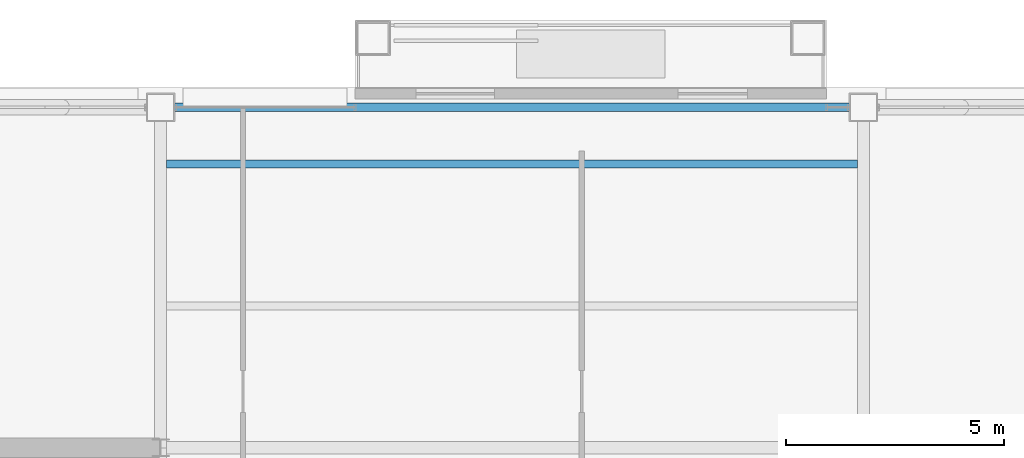
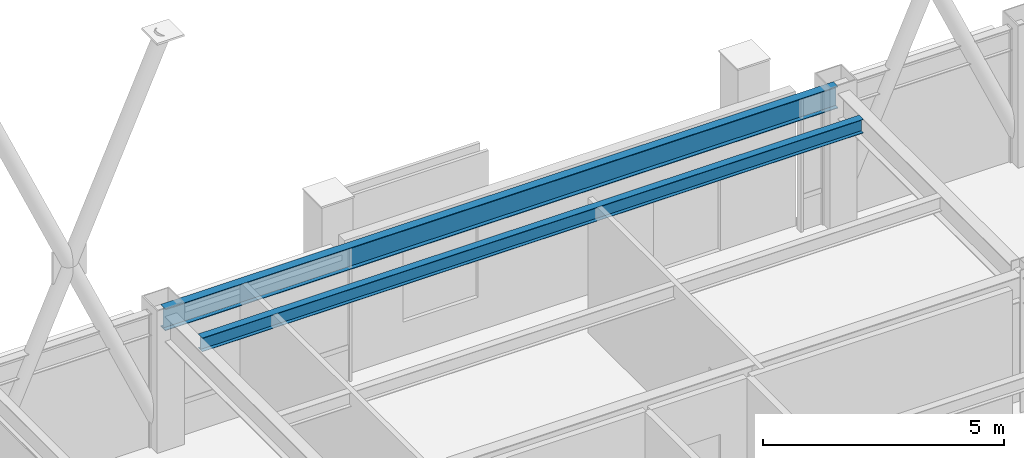
# One storey, part 19 of 28: 2 beams.
"""IFC4 building model written with IfcOpenShell, lengths in metres."""

from ifc_helpers import new_model, si_unit, direction, frame, origin, origin_2d, place, context, subcontext, project, spatial, i_section, extrude, material, material_profile, profile_set, type_object, element, save


model = new_model("IFC4")

# Units and contexts
model_context = context("Model", 3, precision=1e-05, world=origin(), true_north=direction((0.0, 1.0)))
body_context = subcontext(model_context, "Body", "Model", "MODEL_VIEW")
ifc_project = project(units=[si_unit("LENGTHUNIT", "METRE"), si_unit("AREAUNIT", "SQUARE_METRE"), si_unit("VOLUMEUNIT", "CUBIC_METRE"), si_unit("PLANEANGLEUNIT", "RADIAN"), si_unit("MASSUNIT", "GRAM", prefix="KILO")], contexts=[model_context])

# Site, building, storey
site_placement = place(None, origin())
site = spatial("IfcSite", under=ifc_project, at=site_placement, CompositionType="ELEMENT")
building_placement = place(site_placement, origin())
building = spatial("IfcBuilding", under=site, at=building_placement, Name="Brelmoor Portico Tower", CompositionType="ELEMENT")
storey_placement = place(building_placement, frame((0.0, 0.0, 225.60009765625)))
storey = spatial("IfcBuildingStorey", under=building, at=storey_placement, Name="L59", CompositionType="ELEMENT", Elevation=225.60009765625)

# Beams
ifc_material = material(Name="Steel Q355B", Category="steel")
ifc_material_profile_1 = material_profile(ifc_material, i_section(OverallWidth=0.175048828125, OverallDepth=0.35009765625, WebThickness=0.007080078125, FlangeThickness=0.010986328125, at=origin_2d()), Name="HN 350x175x7x11")
ifc_profile_set_1 = profile_set([ifc_material_profile_1], Name="Steel Q355B")
beam_type_1 = type_object("IfcBeamType", Name="BM-JS-350", PredefinedType="JOIST", material=ifc_profile_set_1)
beam_1_placement = place(storey_placement, frame((-7.909912109375, 16.25, 3.224853515625), z_axis=(1.0, 0.0, 0.0), x_axis=(0.0, 1.0, 0.0)))
element("IfcBeam", 1, at=beam_1_placement, inside=storey, type_object=beam_type_1, Name="L59 Secondary Composite Joist JS-C06", PredefinedType="JOIST", context=body_context, shape_type="SweptSolid", body=[
    extrude(i_section(OverallWidth=0.175048828125, OverallDepth=0.35009765625, WebThickness=0.007080078125, FlangeThickness=0.010986328125, at=origin_2d()), origin(), (0.0, 0.0, 1.0), 15.81982421875),
])
ifc_material_profile_2 = material_profile(ifc_material, i_section(OverallWidth=0.199951171875, OverallDepth=0.550048828125, WebThickness=0.010009765625, FlangeThickness=0.01611328125, at=origin_2d()), Name="HN 550x200x10x16")
ifc_profile_set_2 = profile_set([ifc_material_profile_2], Name="Steel Q355B")
beam_type_2 = type_object("IfcBeamType", Name="BM-SP-550", PredefinedType="SPANDREL", material=ifc_profile_set_2)
beam_2_placement = place(storey_placement, frame((-8.050048828125, 17.550048828125, 3.125), z_axis=(1.0, 0.0, 0.0), x_axis=(0.0, 1.0, 0.0)))
element("IfcBeam", 2, at=beam_2_placement, inside=storey, type_object=beam_type_2, Name="L59 Perimeter Spandrel Beam SP-09", PredefinedType="SPANDREL", context=body_context, shape_type="SweptSolid", body=[
    extrude(i_section(OverallWidth=0.199951171875, OverallDepth=0.550048828125, WebThickness=0.010009765625, FlangeThickness=0.01611328125, at=origin_2d()), origin(), (0.0, 0.0, 1.0), 16.10009765625),
])

save(model, "model.ifc")
